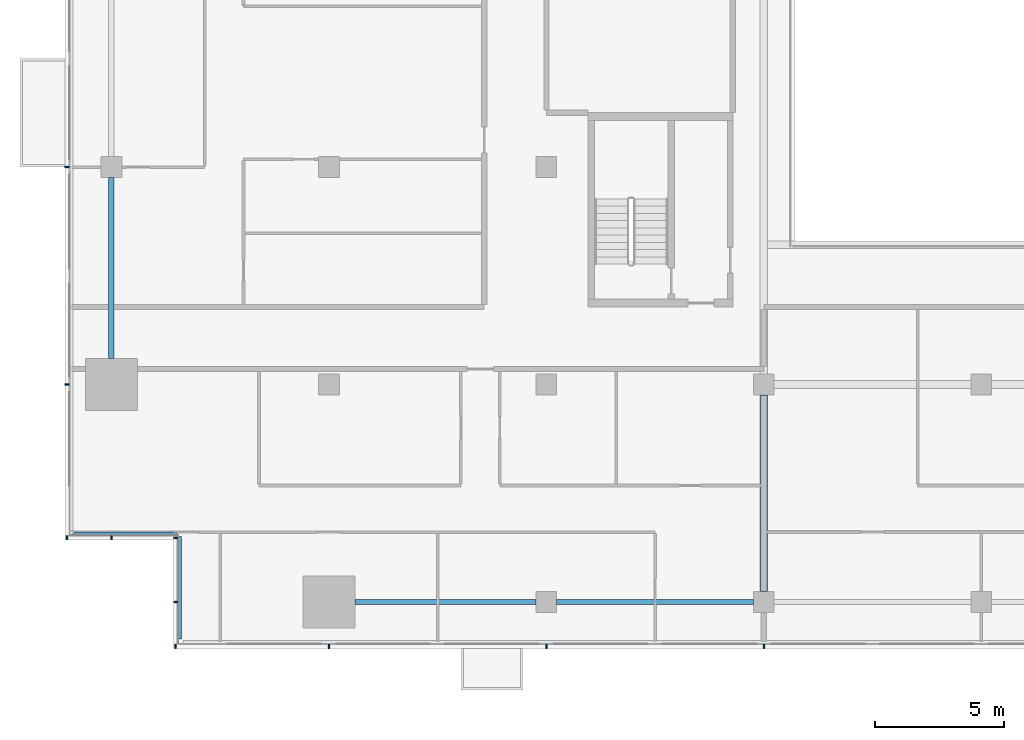
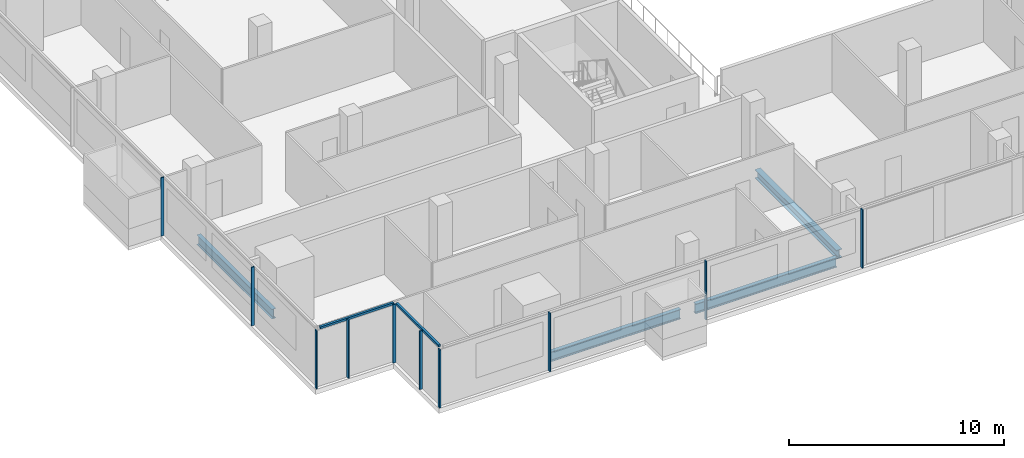
# One storey, part 2 of 27: 12 members, 4 beams, 4 elements without a shape of their own.
"""IFC4 building model written with IfcOpenShell, lengths in metres."""

from ifc_helpers import new_model, si_unit, direction, frame, origin, origin_2d, place, context, subcontext, project, spatial, rectangle, i_section, extrude, material, material_profile, profile_set, type_object, element, aggregate, save


model = new_model("IFC4")

# Units and contexts
model_context = context("Model", 3, precision=1e-05, world=origin(), true_north=direction((0.0, 1.0)))
body_context = subcontext(model_context, "Body", "Model", "MODEL_VIEW")
ifc_project = project(units=[si_unit("LENGTHUNIT", "METRE"), si_unit("AREAUNIT", "SQUARE_METRE"), si_unit("VOLUMEUNIT", "CUBIC_METRE"), si_unit("PLANEANGLEUNIT", "RADIAN"), si_unit("MASSUNIT", "GRAM", prefix="KILO")], contexts=[model_context])

# Site, building, storey
site_placement = place(None, origin())
site = spatial("IfcSite", under=ifc_project, at=site_placement, CompositionType="ELEMENT")
building_placement = place(site_placement, origin())
building = spatial("IfcBuilding", under=site, at=building_placement, Name="Saffron Gate Tower", CompositionType="ELEMENT")
storey_placement = place(building_placement, frame((0.0, 0.0, 124.050048828125)))
storey = spatial("IfcBuildingStorey", under=building, at=storey_placement, Name="L29", CompositionType="ELEMENT", Elevation=124.050048828125)

# Beams
ifc_material_1 = material(Name="Structural steel S355", Category="steel")
ifc_material_profile_1 = material_profile(ifc_material_1, i_section(OverallWidth=0.2099609375, OverallDepth=0.550048828125, WebThickness=0.010986328125, FlangeThickness=0.01708984375, FilletRadius=0.02392578125, at=origin_2d()))
ifc_profile_set_1 = profile_set([ifc_material_profile_1], Name="Structural steel S355")
beam_type_1 = type_object("IfcBeamType", Name="B13 IPE 550", PredefinedType="SPANDREL", material=ifc_profile_set_1)
for number, where, z_axis, x_axis, name in (
    (1, (49.800048828125, 41.199951171875, -0.554931640625), (0.0, 1.0, 0.0), (-1.0, 0.0, 0.0), "B13 SPANDREL BEAM"),
    (2, (59.199951171875, 31.800048828125, -0.554931640625), (1.0, 0.0, 0.0), (0.0, 1.0, 0.0), "B13 SPANDREL BEAM"),
):
    element("IfcBeam", number, at=place(storey_placement, frame(where, z_axis=z_axis, x_axis=x_axis)), inside=storey, type_object=beam_type_1, Name=name, PredefinedType="SPANDREL", context=body_context, shape_type="SweptSolid", body=[
        extrude(i_section(OverallWidth=0.2099609375, OverallDepth=0.550048828125, WebThickness=0.010986328125, FlangeThickness=0.01708984375, FilletRadius=0.02392578125, at=origin_2d()), origin(), (0.0, 0.0, 1.0), 7.0),
    ])
beam_1_placement = place(storey_placement, frame((67.0, 31.800048828125, -0.554931640625), z_axis=(1.0, 0.0, 0.0), x_axis=(0.0, 1.0, 0.0)))
element("IfcBeam", 3, at=beam_1_placement, inside=storey, type_object=beam_type_1, Name="B13 SPANDREL BEAM", PredefinedType="SPANDREL", context=body_context, shape_type="SweptSolid", body=[
    extrude(i_section(OverallWidth=0.2099609375, OverallDepth=0.550048828125, WebThickness=0.010986328125, FlangeThickness=0.01708984375, FilletRadius=0.02392578125, at=origin_2d()), origin(), (0.0, 0.0, 1.0), 7.60009765625),
])
ifc_material_profile_2 = material_profile(ifc_material_1, i_section(OverallWidth=0.300048828125, OverallDepth=0.489990234375, WebThickness=0.011962890625, FlangeThickness=0.02294921875, FilletRadius=0.027099609375, at=origin_2d()))
ifc_profile_set_2 = profile_set([ifc_material_profile_2], Name="Structural steel S355")
beam_type_2 = type_object("IfcBeamType", Name="B8 HEA 500", PredefinedType="BEAM", material=ifc_profile_set_2)
beam_2_placement = place(storey_placement, frame((75.0, 32.199951171875, -0.525146484375), z_axis=(0.0, 1.0, 0.0), x_axis=(-1.0, 0.0, 0.0)))
element("IfcBeam", 4, at=beam_2_placement, inside=storey, type_object=beam_type_2, Name="B8 FLOOR GIRDER", PredefinedType="BEAM", context=body_context, shape_type="SweptSolid", body=[
    extrude(i_section(OverallWidth=0.300048828125, OverallDepth=0.489990234375, WebThickness=0.011962890625, FlangeThickness=0.02294921875, FilletRadius=0.027099609375, at=origin_2d()), origin(), (0.0, 0.0, 1.0), 7.60009765625),
])

# Curtain wall, members
ifc_material_2 = material(Name="Aluminium, bronze anodised", Category="aluminium")
curtain_wall_type_1 = type_object("IfcCurtainWallType", Name="CWS1 curtain wall front facade", PredefinedType="NOTDEFINED", material=ifc_material_2)
curtain_wall_1_placement = place(storey_placement, origin())
curtain_wall_1 = element("IfcCurtainWall", 5, at=curtain_wall_1_placement, inside=storey, type_object=curtain_wall_type_1, Name="CWS1 run 1", PredefinedType="NOTDEFINED")
ifc_material_profile_3 = material_profile(ifc_material_2, rectangle(XDim=0.159912109375, YDim=0.06005859375, at=origin_2d()))
ifc_profile_set_3 = profile_set([ifc_material_profile_3], Name="Aluminium, bronze anodised")
member_type_1 = type_object("IfcMemberType", Name="CWS1 mullion 60x160", PredefinedType="MULLION", material=ifc_profile_set_3)
member_1_placement = place(storey_placement, frame((52.280029296875, 30.080078125, 0.0), z_axis=(0.0, 0.0, 1.0), x_axis=(0.0, 1.0, 0.0)))
member_1 = element("IfcMember", 6, at=member_1_placement, type_object=member_type_1, Name="CWS1 mullion 1", PredefinedType="MULLION", context=body_context, shape_type="SweptSolid", body=[
    extrude(rectangle(XDim=0.159912109375, YDim=0.06005859375, at=origin_2d()), origin(), (0.0, 0.0, 1.0), 3.320068359375),
])
member_2_placement = place(storey_placement, frame((58.199951171875, 30.080078125, 0.0), z_axis=(0.0, 0.0, 1.0), x_axis=(0.0, 1.0, 0.0)))
member_2 = element("IfcMember", 7, at=member_2_placement, type_object=member_type_1, Name="CWS1 mullion 2", PredefinedType="MULLION", context=body_context, shape_type="SweptSolid", body=[
    extrude(rectangle(XDim=0.159912109375, YDim=0.06005859375, at=origin_2d()), origin(), (0.0, 0.0, 1.0), 3.320068359375),
])
member_3_placement = place(storey_placement, frame((66.60009765625, 30.080078125, 0.0), z_axis=(0.0, 0.0, 1.0), x_axis=(0.0, 1.0, 0.0)))
member_3 = element("IfcMember", 8, at=member_3_placement, type_object=member_type_1, Name="CWS1 mullion 3", PredefinedType="MULLION", context=body_context, shape_type="SweptSolid", body=[
    extrude(rectangle(XDim=0.159912109375, YDim=0.06005859375, at=origin_2d()), origin(), (0.0, 0.0, 1.0), 3.320068359375),
])
member_4_placement = place(storey_placement, frame((75.0, 30.080078125, 0.0), z_axis=(0.0, 0.0, 1.0), x_axis=(0.0, 1.0, 0.0)))
member_4 = element("IfcMember", 9, at=member_4_placement, type_object=member_type_1, Name="CWS1 mullion 4", PredefinedType="MULLION", context=body_context, shape_type="SweptSolid", body=[
    extrude(rectangle(XDim=0.159912109375, YDim=0.06005859375, at=origin_2d()), origin(), (0.0, 0.0, 1.0), 3.320068359375),
])
aggregate(curtain_wall_1, [member_1, member_2, member_3, member_4])

curtain_wall_type_2 = type_object("IfcCurtainWallType", Name="CWS2 curtain wall side facades", PredefinedType="NOTDEFINED", material=ifc_material_2)
curtain_wall_2_placement = place(storey_placement, origin())
curtain_wall_2 = element("IfcCurtainWall", 10, at=curtain_wall_2_placement, inside=storey, type_object=curtain_wall_type_2, Name="CWS2 run 10", PredefinedType="NOTDEFINED")
ifc_material_profile_4 = material_profile(ifc_material_2, rectangle(XDim=0.159912109375, YDim=0.06005859375, at=origin_2d()))
ifc_profile_set_4 = profile_set([ifc_material_profile_4], Name="Aluminium, bronze anodised")
member_type_2 = type_object("IfcMemberType", Name="CWS2 mullion 60x160", PredefinedType="MULLION", material=ifc_profile_set_4)
member_5_placement = place(storey_placement, frame((48.080078125, 48.60009765625, 0.0), z_axis=(0.0, 0.0, 1.0), x_axis=(1.0, 0.0, 0.0)))
member_5 = element("IfcMember", 11, at=member_5_placement, type_object=member_type_2, Name="CWS2 mullion 4", PredefinedType="MULLION", context=body_context, shape_type="SweptSolid", body=[
    extrude(rectangle(XDim=0.159912109375, YDim=0.06005859375, at=origin_2d()), origin(), (0.0, 0.0, 1.0), 3.320068359375),
])
member_6_placement = place(storey_placement, frame((48.080078125, 40.199951171875, 0.0), z_axis=(0.0, 0.0, 1.0), x_axis=(1.0, 0.0, 0.0)))
member_6 = element("IfcMember", 12, at=member_6_placement, type_object=member_type_2, Name="CWS2 mullion 5", PredefinedType="MULLION", context=body_context, shape_type="SweptSolid", body=[
    extrude(rectangle(XDim=0.159912109375, YDim=0.06005859375, at=origin_2d()), origin(), (0.0, 0.0, 1.0), 3.320068359375),
])
aggregate(curtain_wall_2, [member_5, member_6])

# Curtain wall, member
curtain_wall_type_3 = type_object("IfcCurtainWallType", Name="CWS4 curtain wall corner returns", PredefinedType="NOTDEFINED", material=ifc_material_2)
curtain_wall_3_placement = place(storey_placement, origin())
curtain_wall_3 = element("IfcCurtainWall", 13, at=curtain_wall_3_placement, inside=storey, type_object=curtain_wall_type_3, Name="CWS4 run 11", PredefinedType="NOTDEFINED")
ifc_material_profile_5 = material_profile(ifc_material_2, rectangle(XDim=0.1201171875, YDim=0.1201171875, at=origin_2d()))
ifc_profile_set_5 = profile_set([ifc_material_profile_5], Name="Aluminium, bronze anodised")
member_type_3 = type_object("IfcMemberType", Name="CWS4 head transom", PredefinedType="USERDEFINED", material=ifc_profile_set_5)
member_7_placement = place(storey_placement, frame((48.367919921875, 34.447998046875, 3.260009765625), z_axis=(1.0, 0.0, 0.0), x_axis=(0.0, 1.0, 0.0)))
member_7 = element("IfcMember", 14, at=member_7_placement, type_object=member_type_3, Name="CWS4 head transom", ObjectType="TRANSOM", PredefinedType="USERDEFINED", context=body_context, shape_type="SweptSolid", body=[
    extrude(rectangle(XDim=0.1201171875, YDim=0.1201171875, at=origin_2d()), origin(), (0.0, 0.0, 1.0), 3.9599609375),
])

curtain_wall_4_placement = place(storey_placement, origin())
curtain_wall_4 = element("IfcCurtainWall", 15, at=curtain_wall_4_placement, inside=storey, type_object=curtain_wall_type_3, Name="CWS4 run 12", PredefinedType="NOTDEFINED")
member_8_placement = place(storey_placement, frame((52.447998046875, 34.327880859375, 3.260009765625), z_axis=(0.0, -1.0, 0.0), x_axis=(1.0, 0.0, 0.0)))
member_8 = element("IfcMember", 16, at=member_8_placement, type_object=member_type_3, Name="CWS4 head transom", ObjectType="TRANSOM", PredefinedType="USERDEFINED", context=body_context, shape_type="SweptSolid", body=[
    extrude(rectangle(XDim=0.1201171875, YDim=0.1201171875, at=origin_2d()), origin(), (0.0, 0.0, 1.0), 3.9599609375),
])

# Member
ifc_material_profile_6 = material_profile(ifc_material_2, rectangle(XDim=0.159912109375, YDim=0.06005859375, at=origin_2d()))
ifc_profile_set_6 = profile_set([ifc_material_profile_6], Name="Aluminium, bronze anodised")
member_type_4 = type_object("IfcMemberType", Name="CWS4 mullion 60x160", PredefinedType="MULLION", material=ifc_profile_set_6)
member_9_placement = place(storey_placement, frame((48.080078125, 34.280029296875, 0.0), z_axis=(0.0, 0.0, 1.0), x_axis=(0.0, 1.0, 0.0)))
member_9 = element("IfcMember", 17, at=member_9_placement, type_object=member_type_4, Name="CWS4 mullion 1", PredefinedType="MULLION", context=body_context, shape_type="SweptSolid", body=[
    extrude(rectangle(XDim=0.159912109375, YDim=0.06005859375, at=origin_2d()), origin(), (0.0, 0.0, 1.0), 3.320068359375),
])

member_10_placement = place(storey_placement, frame((49.800048828125, 34.280029296875, 0.0), z_axis=(0.0, 0.0, 1.0), x_axis=(0.0, 1.0, 0.0)))
member_10 = element("IfcMember", 18, at=member_10_placement, type_object=member_type_4, Name="CWS4 mullion 2", PredefinedType="MULLION", context=body_context, shape_type="SweptSolid", body=[
    extrude(rectangle(XDim=0.159912109375, YDim=0.06005859375, at=origin_2d()), origin(), (0.0, 0.0, 1.0), 3.320068359375),
])

aggregate(curtain_wall_3, [member_9, member_10, member_7])

member_11_placement = place(storey_placement, frame((52.280029296875, 34.280029296875, 0.0), z_axis=(0.0, 0.0, 1.0), x_axis=(1.0, 0.0, 0.0)))
member_11 = element("IfcMember", 19, at=member_11_placement, type_object=member_type_4, Name="CWS4 mullion 1", PredefinedType="MULLION", context=body_context, shape_type="SweptSolid", body=[
    extrude(rectangle(XDim=0.159912109375, YDim=0.06005859375, at=origin_2d()), origin(), (0.0, 0.0, 1.0), 3.320068359375),
])

member_12_placement = place(storey_placement, frame((52.280029296875, 31.800048828125, 0.0), z_axis=(0.0, 0.0, 1.0), x_axis=(1.0, 0.0, 0.0)))
member_12 = element("IfcMember", 20, at=member_12_placement, type_object=member_type_4, Name="CWS4 mullion 2", PredefinedType="MULLION", context=body_context, shape_type="SweptSolid", body=[
    extrude(rectangle(XDim=0.159912109375, YDim=0.06005859375, at=origin_2d()), origin(), (0.0, 0.0, 1.0), 3.320068359375),
])

aggregate(curtain_wall_4, [member_11, member_12, member_8])

save(model, "model.ifc")
